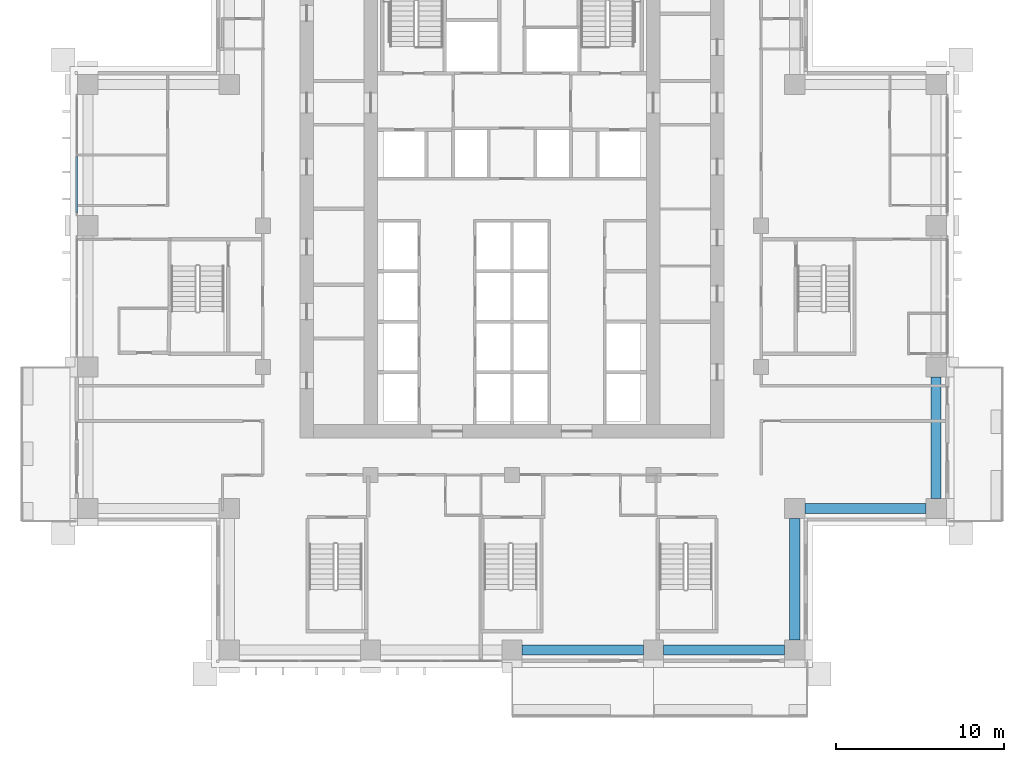
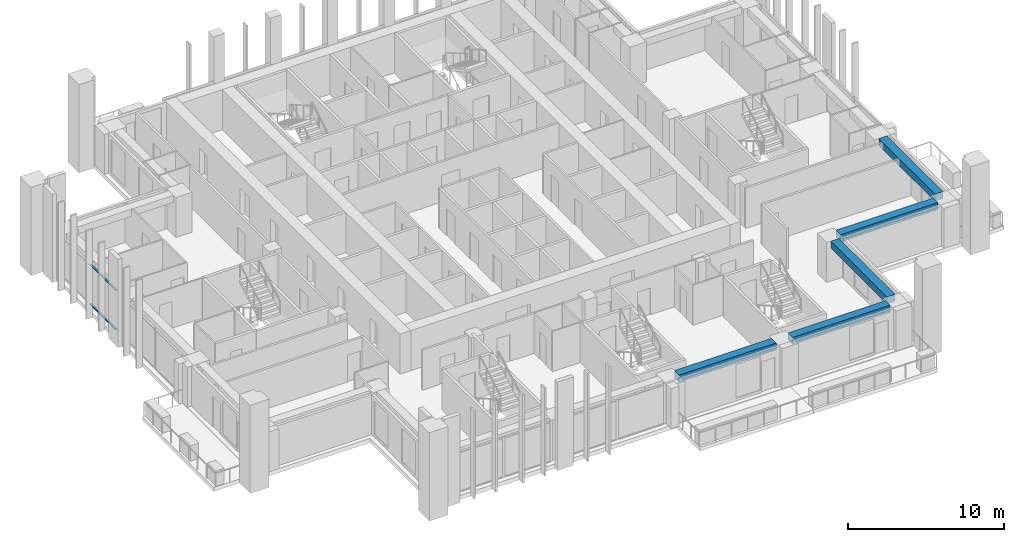
# One storey, part 3 of 19: 5 beams, 2 members, 1 element without a shape of its own.
"""IFC4 building model written with IfcOpenShell, lengths in metres."""

from ifc_helpers import new_model, si_unit, direction, frame, origin, origin_2d, place, context, subcontext, project, spatial, rectangle, extrude, material, material_profile, profile_set, type_object, element, aggregate, save


model = new_model("IFC4")

# Units and contexts
model_context = context("Model", 3, precision=1e-05, world=origin(), true_north=direction((0.0, 1.0)))
body_context = subcontext(model_context, "Body", "Model", "MODEL_VIEW")
ifc_project = project(units=[si_unit("LENGTHUNIT", "METRE"), si_unit("AREAUNIT", "SQUARE_METRE"), si_unit("VOLUMEUNIT", "CUBIC_METRE"), si_unit("PLANEANGLEUNIT", "RADIAN"), si_unit("MASSUNIT", "GRAM", prefix="KILO")], contexts=[model_context])

# Site, building, storey
site_placement = place(None, origin())
site = spatial("IfcSite", under=ifc_project, at=site_placement, CompositionType="ELEMENT")
building_placement = place(site_placement, origin())
building = spatial("IfcBuilding", under=site, at=building_placement, Name="Vermilion Ogive Tower", CompositionType="ELEMENT")
storey_placement = place(building_placement, frame((0.0, 0.0, 90.75)))
storey = spatial("IfcBuildingStorey", under=building, at=storey_placement, Name="L22", CompositionType="ELEMENT", Elevation=90.75)

# Curtain wall, members
ifc_material_1 = material(Name="Low-iron laminated glazing in aluminium frame", Category="aluminium")
curtain_wall_type = type_object("IfcCurtainWallType", Name="Curtain wall CW7", PredefinedType="NOTDEFINED", material=ifc_material_1)
curtain_wall_placement = place(storey_placement, origin())
curtain_wall = element("IfcCurtainWall", 1, at=curtain_wall_placement, inside=storey, type_object=curtain_wall_type, Name="Glazed skin W1", PredefinedType="NOTDEFINED")
ifc_material_2 = material(Name="Aluminium transom", Category="aluminium")
ifc_material_profile_1 = material_profile(ifc_material_2, rectangle(XDim=0.139892578125, YDim=0.06005859375, at=origin_2d()), Name="AL 60x140")
ifc_profile_set_1 = profile_set([ifc_material_profile_1], Name="Aluminium transom")
member_type = type_object("IfcMemberType", Name="CW7 transom 60x140", PredefinedType="USERDEFINED", material=ifc_profile_set_1)
member_1_placement = place(storey_placement, frame((-25.85009765625, 8.31005859375, 0.030029296875), z_axis=(0.0, -1.0, 0.0), x_axis=(1.0, 0.0, 0.0)))
member_1 = element("IfcMember", 2, at=member_1_placement, type_object=member_type, Name="CW7-W1 transom 2.1", ObjectType="TRANSOM", PredefinedType="USERDEFINED", context=body_context, shape_type="SweptSolid", body=[
    extrude(rectangle(XDim=0.139892578125, YDim=0.06005859375, at=origin_2d()), origin(), (0.0, 0.0, 1.0), 3.330078125),
])
member_2_placement = place(storey_placement, frame((-25.85009765625, 8.31005859375, 3.10009765625), z_axis=(0.0, -1.0, 0.0), x_axis=(1.0, 0.0, 0.0)))
member_2 = element("IfcMember", 3, at=member_2_placement, type_object=member_type, Name="CW7-W1 transom 2.2", ObjectType="TRANSOM", PredefinedType="USERDEFINED", context=body_context, shape_type="SweptSolid", body=[
    extrude(rectangle(XDim=0.139892578125, YDim=0.06005859375, at=origin_2d()), origin(), (0.0, 0.0, 1.0), 3.330078125),
])
aggregate(curtain_wall, [member_1, member_2])

# Beams
ifc_material_3 = material(Name="Concrete B45", Category="concrete")
ifc_material_profile_2 = material_profile(ifc_material_3, rectangle(XDim=0.60009765625, YDim=0.550048828125, at=origin_2d()), Name="600 x 550")
ifc_profile_set_2 = profile_set([ifc_material_profile_2], Name="Concrete B45")
beam_type = type_object("IfcBeamType", Name="Edge beam 600 x 550 B45", PredefinedType="BEAM", material=ifc_profile_set_2)
for number, where, z_axis, x_axis, name in (
    (4, (0.60009765625, -21.0, 2.85498046875), (1.0, 0.0, 0.0), (0.0, 1.0, 0.0), "L22-EB-3"),
    (5, (9.0, -21.0, 2.85498046875), (1.0, 0.0, 0.0), (0.0, 1.0, 0.0), "L22-EB-4"),
    (6, (16.800048828125, -20.39990234375, 2.85498046875), (0.0, 1.0, 0.0), (-1.0, 0.0, 0.0), "L22-EB-5"),
):
    element("IfcBeam", number, at=place(storey_placement, frame(where, z_axis=z_axis, x_axis=x_axis)), inside=storey, type_object=beam_type, Name=name, PredefinedType="BEAM", context=body_context, shape_type="SweptSolid", body=[
        extrude(rectangle(XDim=0.60009765625, YDim=0.550048828125, at=origin_2d()), origin(), (0.0, 0.0, 1.0), 7.199951171875),
    ])
beam_1_placement = place(storey_placement, frame((17.39990234375, -12.60009765625, 2.85498046875), z_axis=(1.0, 0.0, 0.0), x_axis=(0.0, 1.0, 0.0)))
element("IfcBeam", 7, at=beam_1_placement, inside=storey, type_object=beam_type, Name="L22-EB-6", PredefinedType="BEAM", context=body_context, shape_type="SweptSolid", body=[
    extrude(rectangle(XDim=0.60009765625, YDim=0.550048828125, at=origin_2d()), origin(), (0.0, 0.0, 1.0), 7.2001953125),
])
beam_2_placement = place(storey_placement, frame((25.199951171875, -12.0, 2.85498046875), z_axis=(0.0, 1.0, 0.0), x_axis=(-1.0, 0.0, 0.0)))
element("IfcBeam", 8, at=beam_2_placement, inside=storey, type_object=beam_type, Name="L22-EB-7", PredefinedType="BEAM", context=body_context, shape_type="SweptSolid", body=[
    extrude(rectangle(XDim=0.60009765625, YDim=0.550048828125, at=origin_2d()), origin(), (0.0, 0.0, 1.0), 7.199951171875),
])

save(model, "model.ifc")
